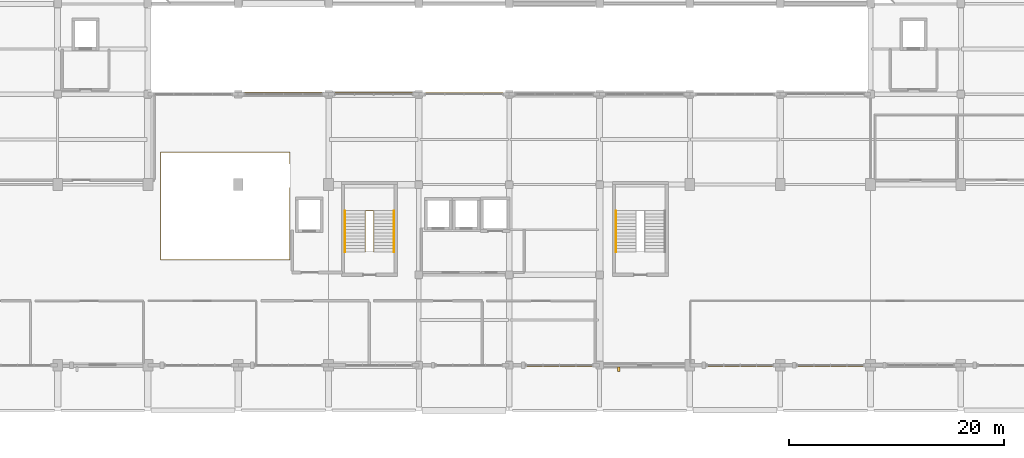
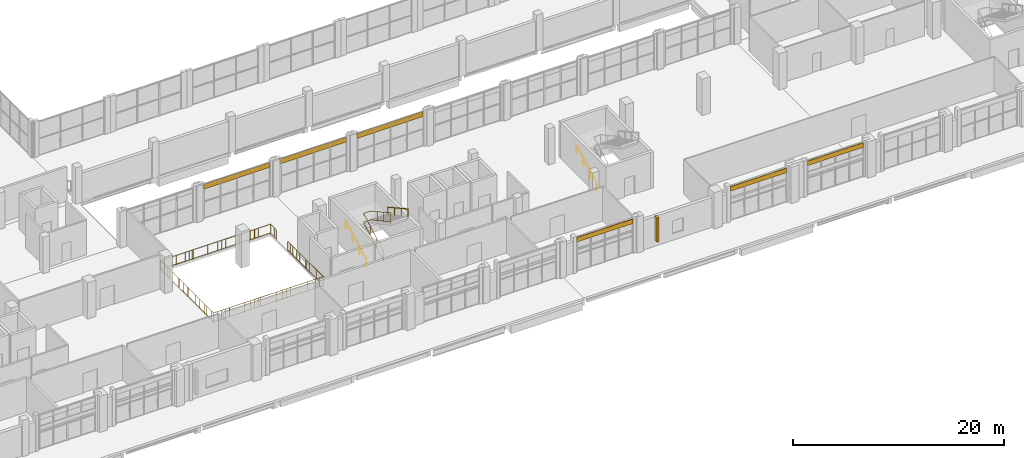
# One storey, part 57 of 59: 5 railings, 4 shading devices, 3 coverings.
"""IFC4 building model written with IfcOpenShell, lengths in metres."""

from ifc_helpers import new_model, si_unit, derived_unit, direction, frame, origin, origin_2d, place, context, subcontext, project, spatial, rectangle, circle, extrude, material, layer, layer_set, type_object, element, save


model = new_model("IFC4")

# Units and contexts
model_context = context("Model", 3, precision=1e-05, world=origin(), true_north=direction((0.0, 1.0)))
body_context = subcontext(model_context, "Body", "Model", "MODEL_VIEW")
ifc_project = project(units=[si_unit("LENGTHUNIT", "METRE"), si_unit("AREAUNIT", "SQUARE_METRE"), si_unit("VOLUMEUNIT", "CUBIC_METRE"), si_unit("PLANEANGLEUNIT", "RADIAN"), si_unit("MASSUNIT", "GRAM", prefix="KILO"), derived_unit("THERMALTRANSMITTANCEUNIT", [(si_unit("POWERUNIT", "WATT"), 1), (si_unit("LENGTHUNIT", "METRE"), -2), (si_unit("THERMODYNAMICTEMPERATUREUNIT", "KELVIN"), -1)])], contexts=[model_context])

# Site, building, storey
site_placement = place(None, origin())
site = spatial("IfcSite", under=ifc_project, at=site_placement, CompositionType="ELEMENT")
building_placement = place(site_placement, origin())
building = spatial("IfcBuilding", under=site, at=building_placement, Name="Barrovel Congress Hotel", CompositionType="ELEMENT")
storey_placement = place(building_placement, frame((0.0, 0.0, 9.89990234375)))
storey = spatial("IfcBuildingStorey", under=building, at=storey_placement, Name="L02", CompositionType="ELEMENT", Elevation=9.89990234375)

# Coverings
ifc_material_1 = material(Name="Glazed Terracotta Spandrel", Category="masonry")
ifc_layer_1 = layer(ifc_material_1, 0.1201171875)
ifc_layer_set_1 = layer_set([ifc_layer_1], Name="Glazed Terracotta Spandrel")
covering_type = type_object("IfcCoveringType", Name="COV-CLAD-TERRA", PredefinedType="CLADDING", material=ifc_layer_set_1)
for number, where, z_axis, x_axis, name in (
    (1, (97.080078125, 4.14990234375, 3.41015625), (0.0, 0.0, 1.0), (1.0, 0.0, 0.0), "CLAD:L02:S:11"),
    (2, (113.8798828125, 4.14990234375, 3.41015625), (0.0, 0.0, 1.0), (1.0, 0.0, 0.0), "CLAD:L02:S:13"),
    (3, (122.280029296875, 4.14990234375, 3.41015625), (0.0, 0.0, 1.0), (1.0, 0.0, 0.0), "CLAD:L02:S:14"),
):
    element("IfcCovering", number, at=place(storey_placement, frame(where, z_axis=z_axis, x_axis=x_axis)), inside=storey, type_object=covering_type, Name=name, PredefinedType="CLADDING", context=body_context, shape_type="SweptSolid", body=[
        extrude(rectangle(XDim=6.1201171875, YDim=0.1201171875, at=origin_2d()), origin(), (0.0, 0.0, 1.0), 0.52001953125),
    ])

# Railings
ifc_material_2 = material(Name="Painted Architectural Steel", Category="steel")
ifc_layer_2 = layer(ifc_material_2, 0.070068359375)
ifc_layer_set_2 = layer_set([ifc_layer_2], Name="Painted Architectural Steel")
railing_type_1 = type_object("IfcRailingType", Name="RAIL-GUARD-INT", PredefinedType="BALUSTRADE", material=ifc_layer_set_2)
railing_1_placement = place(storey_placement, frame((79.02001953125, 14.739990234375, 0.0)))
element("IfcRailing", 4, at=railing_1_placement, inside=storey, type_object=railing_type_1, Name="STAIR:XS-02:L02:GR-W", PredefinedType="BALUSTRADE", context=body_context, shape_type="SweptSolid", body=[
    extrude(circle(Radius=0.02392578125, at=origin_2d()), frame((0.0, 0.0, 1.11572265625), z_axis=(0.0, 0.875497377122, 0.483222870581), x_axis=(-1.0, 0.0, 0.0)), (0.0, 0.0, 1.0), 4.345947265625),
    extrude(circle(Radius=0.02392578125, at=origin_2d()), frame((0.0, 0.0, 0.10009765625), z_axis=(0.0, 0.875497377122, 0.483222870581), x_axis=(-1.0, 0.0, 0.0)), (0.0, 0.0, 1.0), 4.345947265625),
    extrude(circle(Radius=0.010009765625, at=origin_2d()), frame((0.0, 0.38037109375, 0.31005859375)), (0.0, 0.0, 1.0), 0.99169921875),
    extrude(circle(Radius=0.010009765625, at=origin_2d()), frame((0.0, 0.760986328125, 0.52001953125)), (0.0, 0.0, 1.0), 0.99169921875),
    extrude(circle(Radius=0.010009765625, at=origin_2d()), frame((0.0, 1.1416015625, 0.72998046875)), (0.0, 0.0, 1.0), 0.99169921875),
    extrude(circle(Radius=0.010009765625, at=origin_2d()), frame((0.0, 1.52197265625, 0.93994140625)), (0.0, 0.0, 1.0), 0.99169921875),
    extrude(circle(Radius=0.010009765625, at=origin_2d()), frame((0.0, 1.90234375, 1.150146484375)), (0.0, 0.0, 1.0), 0.99169921875),
    extrude(circle(Radius=0.010009765625, at=origin_2d()), frame((0.0, 2.282958984375, 1.360107421875)), (0.0, 0.0, 1.0), 0.99169921875),
    extrude(circle(Radius=0.010009765625, at=origin_2d()), frame((0.0, 2.66357421875, 1.570068359375)), (0.0, 0.0, 1.0), 0.99169921875),
    extrude(circle(Radius=0.010009765625, at=origin_2d()), frame((0.0, 3.0439453125, 1.780029296875)), (0.0, 0.0, 1.0), 0.99169921875),
    extrude(circle(Radius=0.010009765625, at=origin_2d()), frame((0.0, 3.42431640625, 1.989990234375)), (0.0, 0.0, 1.0), 0.99169921875),
    extrude(circle(Radius=0.02392578125, at=origin_2d()), frame((0.0, 3.804931640625, 3.2158203125), z_axis=(1.0, 0.0, 0.0), x_axis=(0.0, 1.0, 0.0)), (0.0, 0.0, 1.0), 0.760009765625),
    extrude(circle(Radius=0.02392578125, at=origin_2d()), frame((0.0, 3.804931640625, 2.2001953125), z_axis=(1.0, 0.0, 0.0), x_axis=(0.0, 1.0, 0.0)), (0.0, 0.0, 1.0), 0.760009765625),
    extrude(circle(Radius=0.010009765625, at=origin_2d()), frame((0.3798828125, 3.804931640625, 2.2001953125)), (0.0, 0.0, 1.0), 0.99169921875),
    extrude(circle(Radius=0.02392578125, at=origin_2d()), frame((0.760009765625, 3.804931640625, 3.2158203125), z_axis=(0.0, -0.875497377122, 0.483222870581), x_axis=(1.0, 0.0, 0.0)), (0.0, 0.0, 1.0), 4.345947265625),
    extrude(circle(Radius=0.02392578125, at=origin_2d()), frame((0.760009765625, 3.804931640625, 2.2001953125), z_axis=(0.0, -0.875497377122, 0.483222870581), x_axis=(1.0, 0.0, 0.0)), (0.0, 0.0, 1.0), 4.345947265625),
    extrude(circle(Radius=0.010009765625, at=origin_2d()), frame((0.760009765625, 3.42431640625, 2.41015625)), (0.0, 0.0, 1.0), 0.99169921875),
    extrude(circle(Radius=0.010009765625, at=origin_2d()), frame((0.760009765625, 3.0439453125, 2.6201171875)), (0.0, 0.0, 1.0), 0.99169921875),
    extrude(circle(Radius=0.010009765625, at=origin_2d()), frame((0.760009765625, 2.66357421875, 2.830078125)), (0.0, 0.0, 1.0), 0.99169921875),
    extrude(circle(Radius=0.010009765625, at=origin_2d()), frame((0.760009765625, 2.282958984375, 3.0400390625)), (0.0, 0.0, 1.0), 0.99169921875),
    extrude(circle(Radius=0.010009765625, at=origin_2d()), frame((0.760009765625, 1.90234375, 3.250244140625)), (0.0, 0.0, 1.0), 0.99169921875),
    extrude(circle(Radius=0.010009765625, at=origin_2d()), frame((0.760009765625, 1.52197265625, 3.460205078125)), (0.0, 0.0, 1.0), 0.99169921875),
    extrude(circle(Radius=0.010009765625, at=origin_2d()), frame((0.760009765625, 1.1416015625, 3.670166015625)), (0.0, 0.0, 1.0), 0.99169921875),
    extrude(circle(Radius=0.010009765625, at=origin_2d()), frame((0.760009765625, 0.760986328125, 3.880126953125)), (0.0, 0.0, 1.0), 0.99169921875),
    extrude(circle(Radius=0.010009765625, at=origin_2d()), frame((0.760009765625, 0.38037109375, 4.090087890625)), (0.0, 0.0, 1.0), 0.99169921875),
    extrude(circle(Radius=0.02099609375, at=origin_2d()), origin(), (0.0, 0.0, 1.0), 1.091796875),
    extrude(circle(Radius=0.02099609375, at=origin_2d()), frame((0.0, 1.268310546875, 0.699951171875)), (0.0, 0.0, 1.0), 1.091796875),
    extrude(circle(Radius=0.02099609375, at=origin_2d()), frame((0.0, 2.53662109375, 1.400146484375)), (0.0, 0.0, 1.0), 1.091796875),
    extrude(circle(Radius=0.02099609375, at=origin_2d()), frame((0.0, 3.804931640625, 2.10009765625)), (0.0, 0.0, 1.0), 1.091796875),
    extrude(circle(Radius=0.02099609375, at=origin_2d()), frame((0.760009765625, 3.804931640625, 2.10009765625)), (0.0, 0.0, 1.0), 1.091796875),
    extrude(circle(Radius=0.02099609375, at=origin_2d()), frame((0.760009765625, 2.53662109375, 2.800048828125)), (0.0, 0.0, 1.0), 1.091796875),
    extrude(circle(Radius=0.02099609375, at=origin_2d()), frame((0.760009765625, 1.268310546875, 3.500244140625)), (0.0, 0.0, 1.0), 1.091796875),
    extrude(circle(Radius=0.02099609375, at=origin_2d()), frame((0.760009765625, 0.0, 4.2001953125)), (0.0, 0.0, 1.0), 1.091796875),
])
railing_2_placement = place(storey_placement, frame((72.0, 20.699951171875, 0.0)))
element("IfcRailing", 5, at=railing_2_placement, inside=storey, type_object=railing_type_1, Name="RAIL:L02:ATR-1", PredefinedType="BALUSTRADE", context=body_context, shape_type="SweptSolid", body=[
    extrude(circle(Radius=0.02392578125, at=origin_2d()), frame((0.0, 0.0, 1.11572265625), z_axis=(0.0, -1.0, 0.0), x_axis=(1.0, 0.0, 0.0)), (0.0, 0.0, 1.0), 6.699951171875),
    extrude(circle(Radius=0.02392578125, at=origin_2d()), frame((0.0, 0.0, 0.10009765625), z_axis=(0.0, -1.0, 0.0), x_axis=(1.0, 0.0, 0.0)), (0.0, 0.0, 1.0), 6.699951171875),
    extrude(circle(Radius=0.010009765625, at=origin_2d()), frame((0.0, -0.44677734375, 0.10009765625)), (0.0, 0.0, 1.0), 0.99169921875),
    extrude(circle(Radius=0.010009765625, at=origin_2d()), frame((0.0, -0.893310546875, 0.10009765625)), (0.0, 0.0, 1.0), 0.99169921875),
    extrude(circle(Radius=0.010009765625, at=origin_2d()), frame((0.0, -1.340087890625, 0.10009765625)), (0.0, 0.0, 1.0), 0.99169921875),
    extrude(circle(Radius=0.010009765625, at=origin_2d()), frame((0.0, -1.78662109375, 0.10009765625)), (0.0, 0.0, 1.0), 0.99169921875),
    extrude(circle(Radius=0.010009765625, at=origin_2d()), frame((0.0, -2.2333984375, 0.10009765625)), (0.0, 0.0, 1.0), 0.99169921875),
    extrude(circle(Radius=0.010009765625, at=origin_2d()), frame((0.0, -2.679931640625, 0.10009765625)), (0.0, 0.0, 1.0), 0.99169921875),
    extrude(circle(Radius=0.010009765625, at=origin_2d()), frame((0.0, -3.126708984375, 0.10009765625)), (0.0, 0.0, 1.0), 0.99169921875),
    extrude(circle(Radius=0.010009765625, at=origin_2d()), frame((0.0, -3.5732421875, 0.10009765625)), (0.0, 0.0, 1.0), 0.99169921875),
    extrude(circle(Radius=0.010009765625, at=origin_2d()), frame((0.0, -4.02001953125, 0.10009765625)), (0.0, 0.0, 1.0), 0.99169921875),
    extrude(circle(Radius=0.010009765625, at=origin_2d()), frame((0.0, -4.466552734375, 0.10009765625)), (0.0, 0.0, 1.0), 0.99169921875),
    extrude(circle(Radius=0.010009765625, at=origin_2d()), frame((0.0, -4.913330078125, 0.10009765625)), (0.0, 0.0, 1.0), 0.99169921875),
    extrude(circle(Radius=0.010009765625, at=origin_2d()), frame((0.0, -5.35986328125, 0.10009765625)), (0.0, 0.0, 1.0), 0.99169921875),
    extrude(circle(Radius=0.010009765625, at=origin_2d()), frame((0.0, -5.806640625, 0.10009765625)), (0.0, 0.0, 1.0), 0.99169921875),
    extrude(circle(Radius=0.010009765625, at=origin_2d()), frame((0.0, -6.253173828125, 0.10009765625)), (0.0, 0.0, 1.0), 0.99169921875),
    extrude(circle(Radius=0.02392578125, at=origin_2d()), frame((0.0, -6.699951171875, 1.11572265625), z_axis=(-1.0, 0.0, 0.0), x_axis=(0.0, -1.0, 0.0)), (0.0, 0.0, 1.0), 12.0),
    extrude(circle(Radius=0.02392578125, at=origin_2d()), frame((0.0, -6.699951171875, 0.10009765625), z_axis=(-1.0, 0.0, 0.0), x_axis=(0.0, -1.0, 0.0)), (0.0, 0.0, 1.0), 12.0),
    extrude(circle(Radius=0.010009765625, at=origin_2d()), frame((-0.4443359375, -6.699951171875, 0.10009765625)), (0.0, 0.0, 1.0), 0.99169921875),
    extrude(circle(Radius=0.010009765625, at=origin_2d()), frame((-0.888916015625, -6.699951171875, 0.10009765625)), (0.0, 0.0, 1.0), 0.99169921875),
    extrude(circle(Radius=0.010009765625, at=origin_2d()), frame((-1.333251953125, -6.699951171875, 0.10009765625)), (0.0, 0.0, 1.0), 0.99169921875),
    extrude(circle(Radius=0.010009765625, at=origin_2d()), frame((-1.77783203125, -6.699951171875, 0.10009765625)), (0.0, 0.0, 1.0), 0.99169921875),
    extrude(circle(Radius=0.010009765625, at=origin_2d()), frame((-2.22216796875, -6.699951171875, 0.10009765625)), (0.0, 0.0, 1.0), 0.99169921875),
    extrude(circle(Radius=0.010009765625, at=origin_2d()), frame((-2.666748046875, -6.699951171875, 0.10009765625)), (0.0, 0.0, 1.0), 0.99169921875),
    extrude(circle(Radius=0.010009765625, at=origin_2d()), frame((-3.111083984375, -6.699951171875, 0.10009765625)), (0.0, 0.0, 1.0), 0.99169921875),
    extrude(circle(Radius=0.010009765625, at=origin_2d()), frame((-3.5556640625, -6.699951171875, 0.10009765625)), (0.0, 0.0, 1.0), 0.99169921875),
    extrude(circle(Radius=0.010009765625, at=origin_2d()), frame((-4.0, -6.699951171875, 0.10009765625)), (0.0, 0.0, 1.0), 0.99169921875),
    extrude(circle(Radius=0.010009765625, at=origin_2d()), frame((-4.4443359375, -6.699951171875, 0.10009765625)), (0.0, 0.0, 1.0), 0.99169921875),
    extrude(circle(Radius=0.010009765625, at=origin_2d()), frame((-4.888916015625, -6.699951171875, 0.10009765625)), (0.0, 0.0, 1.0), 0.99169921875),
    extrude(circle(Radius=0.010009765625, at=origin_2d()), frame((-5.333251953125, -6.699951171875, 0.10009765625)), (0.0, 0.0, 1.0), 0.99169921875),
    extrude(circle(Radius=0.010009765625, at=origin_2d()), frame((-5.77783203125, -6.699951171875, 0.10009765625)), (0.0, 0.0, 1.0), 0.99169921875),
    extrude(circle(Radius=0.010009765625, at=origin_2d()), frame((-6.22216796875, -6.699951171875, 0.10009765625)), (0.0, 0.0, 1.0), 0.99169921875),
    extrude(circle(Radius=0.010009765625, at=origin_2d()), frame((-6.666748046875, -6.699951171875, 0.10009765625)), (0.0, 0.0, 1.0), 0.99169921875),
    extrude(circle(Radius=0.010009765625, at=origin_2d()), frame((-7.111083984375, -6.699951171875, 0.10009765625)), (0.0, 0.0, 1.0), 0.99169921875),
    extrude(circle(Radius=0.010009765625, at=origin_2d()), frame((-7.5556640625, -6.699951171875, 0.10009765625)), (0.0, 0.0, 1.0), 0.99169921875),
    extrude(circle(Radius=0.010009765625, at=origin_2d()), frame((-8.0, -6.699951171875, 0.10009765625)), (0.0, 0.0, 1.0), 0.99169921875),
    extrude(circle(Radius=0.010009765625, at=origin_2d()), frame((-8.4443359375, -6.699951171875, 0.10009765625)), (0.0, 0.0, 1.0), 0.99169921875),
    extrude(circle(Radius=0.010009765625, at=origin_2d()), frame((-8.888916015625, -6.699951171875, 0.10009765625)), (0.0, 0.0, 1.0), 0.99169921875),
    extrude(circle(Radius=0.010009765625, at=origin_2d()), frame((-9.333251953125, -6.699951171875, 0.10009765625)), (0.0, 0.0, 1.0), 0.99169921875),
    extrude(circle(Radius=0.010009765625, at=origin_2d()), frame((-9.77783203125, -6.699951171875, 0.10009765625)), (0.0, 0.0, 1.0), 0.99169921875),
    extrude(circle(Radius=0.010009765625, at=origin_2d()), frame((-10.22216796875, -6.699951171875, 0.10009765625)), (0.0, 0.0, 1.0), 0.99169921875),
    extrude(circle(Radius=0.010009765625, at=origin_2d()), frame((-10.666748046875, -6.699951171875, 0.10009765625)), (0.0, 0.0, 1.0), 0.99169921875),
    extrude(circle(Radius=0.010009765625, at=origin_2d()), frame((-11.111083984375, -6.699951171875, 0.10009765625)), (0.0, 0.0, 1.0), 0.99169921875),
    extrude(circle(Radius=0.010009765625, at=origin_2d()), frame((-11.5556640625, -6.699951171875, 0.10009765625)), (0.0, 0.0, 1.0), 0.99169921875),
    extrude(circle(Radius=0.02392578125, at=origin_2d()), frame((-12.0, -6.699951171875, 1.11572265625), z_axis=(0.0, 1.0, 0.0), x_axis=(-1.0, 0.0, 0.0)), (0.0, 0.0, 1.0), 10.0),
    extrude(circle(Radius=0.02392578125, at=origin_2d()), frame((-12.0, -6.699951171875, 0.10009765625), z_axis=(0.0, 1.0, 0.0), x_axis=(-1.0, 0.0, 0.0)), (0.0, 0.0, 1.0), 10.0),
    extrude(circle(Radius=0.010009765625, at=origin_2d()), frame((-12.0, -6.26513671875, 0.10009765625)), (0.0, 0.0, 1.0), 0.99169921875),
    extrude(circle(Radius=0.010009765625, at=origin_2d()), frame((-12.0, -5.830322265625, 0.10009765625)), (0.0, 0.0, 1.0), 0.99169921875),
    extrude(circle(Radius=0.010009765625, at=origin_2d()), frame((-12.0, -5.3955078125, 0.10009765625)), (0.0, 0.0, 1.0), 0.99169921875),
    extrude(circle(Radius=0.010009765625, at=origin_2d()), frame((-12.0, -4.9609375, 0.10009765625)), (0.0, 0.0, 1.0), 0.99169921875),
    extrude(circle(Radius=0.010009765625, at=origin_2d()), frame((-12.0, -4.526123046875, 0.10009765625)), (0.0, 0.0, 1.0), 0.99169921875),
    extrude(circle(Radius=0.010009765625, at=origin_2d()), frame((-12.0, -4.09130859375, 0.10009765625)), (0.0, 0.0, 1.0), 0.99169921875),
    extrude(circle(Radius=0.010009765625, at=origin_2d()), frame((-12.0, -3.656494140625, 0.10009765625)), (0.0, 0.0, 1.0), 0.99169921875),
    extrude(circle(Radius=0.010009765625, at=origin_2d()), frame((-12.0, -3.2216796875, 0.10009765625)), (0.0, 0.0, 1.0), 0.99169921875),
    extrude(circle(Radius=0.010009765625, at=origin_2d()), frame((-12.0, -2.786865234375, 0.10009765625)), (0.0, 0.0, 1.0), 0.99169921875),
    extrude(circle(Radius=0.010009765625, at=origin_2d()), frame((-12.0, -2.35205078125, 0.10009765625)), (0.0, 0.0, 1.0), 0.99169921875),
    extrude(circle(Radius=0.010009765625, at=origin_2d()), frame((-12.0, -1.917236328125, 0.10009765625)), (0.0, 0.0, 1.0), 0.99169921875),
    extrude(circle(Radius=0.010009765625, at=origin_2d()), frame((-12.0, -1.482666015625, 0.10009765625)), (0.0, 0.0, 1.0), 0.99169921875),
    extrude(circle(Radius=0.010009765625, at=origin_2d()), frame((-12.0, -1.0478515625, 0.10009765625)), (0.0, 0.0, 1.0), 0.99169921875),
    extrude(circle(Radius=0.010009765625, at=origin_2d()), frame((-12.0, -0.613037109375, 0.10009765625)), (0.0, 0.0, 1.0), 0.99169921875),
    extrude(circle(Radius=0.010009765625, at=origin_2d()), frame((-12.0, -0.17822265625, 0.10009765625)), (0.0, 0.0, 1.0), 0.99169921875),
    extrude(circle(Radius=0.010009765625, at=origin_2d()), frame((-12.0, 0.256591796875, 0.10009765625)), (0.0, 0.0, 1.0), 0.99169921875),
    extrude(circle(Radius=0.010009765625, at=origin_2d()), frame((-12.0, 0.69140625, 0.10009765625)), (0.0, 0.0, 1.0), 0.99169921875),
    extrude(circle(Radius=0.010009765625, at=origin_2d()), frame((-12.0, 1.126220703125, 0.10009765625)), (0.0, 0.0, 1.0), 0.99169921875),
    extrude(circle(Radius=0.010009765625, at=origin_2d()), frame((-12.0, 1.56103515625, 0.10009765625)), (0.0, 0.0, 1.0), 0.99169921875),
    extrude(circle(Radius=0.010009765625, at=origin_2d()), frame((-12.0, 1.99560546875, 0.10009765625)), (0.0, 0.0, 1.0), 0.99169921875),
    extrude(circle(Radius=0.010009765625, at=origin_2d()), frame((-12.0, 2.430419921875, 0.10009765625)), (0.0, 0.0, 1.0), 0.99169921875),
    extrude(circle(Radius=0.010009765625, at=origin_2d()), frame((-12.0, 2.865234375, 0.10009765625)), (0.0, 0.0, 1.0), 0.99169921875),
    extrude(circle(Radius=0.02392578125, at=origin_2d()), frame((-12.0, 3.300048828125, 1.11572265625), z_axis=(1.0, 0.0, 0.0), x_axis=(0.0, 1.0, 0.0)), (0.0, 0.0, 1.0), 12.0),
    extrude(circle(Radius=0.02392578125, at=origin_2d()), frame((-12.0, 3.300048828125, 0.10009765625), z_axis=(1.0, 0.0, 0.0), x_axis=(0.0, 1.0, 0.0)), (0.0, 0.0, 1.0), 12.0),
    extrude(circle(Radius=0.010009765625, at=origin_2d()), frame((-11.5556640625, 3.300048828125, 0.10009765625)), (0.0, 0.0, 1.0), 0.99169921875),
    extrude(circle(Radius=0.010009765625, at=origin_2d()), frame((-11.111083984375, 3.300048828125, 0.10009765625)), (0.0, 0.0, 1.0), 0.99169921875),
    extrude(circle(Radius=0.010009765625, at=origin_2d()), frame((-10.666748046875, 3.300048828125, 0.10009765625)), (0.0, 0.0, 1.0), 0.99169921875),
    extrude(circle(Radius=0.010009765625, at=origin_2d()), frame((-10.22216796875, 3.300048828125, 0.10009765625)), (0.0, 0.0, 1.0), 0.99169921875),
    extrude(circle(Radius=0.010009765625, at=origin_2d()), frame((-9.77783203125, 3.300048828125, 0.10009765625)), (0.0, 0.0, 1.0), 0.99169921875),
    extrude(circle(Radius=0.010009765625, at=origin_2d()), frame((-9.333251953125, 3.300048828125, 0.10009765625)), (0.0, 0.0, 1.0), 0.99169921875),
    extrude(circle(Radius=0.010009765625, at=origin_2d()), frame((-8.888916015625, 3.300048828125, 0.10009765625)), (0.0, 0.0, 1.0), 0.99169921875),
    extrude(circle(Radius=0.010009765625, at=origin_2d()), frame((-8.4443359375, 3.300048828125, 0.10009765625)), (0.0, 0.0, 1.0), 0.99169921875),
    extrude(circle(Radius=0.010009765625, at=origin_2d()), frame((-8.0, 3.300048828125, 0.10009765625)), (0.0, 0.0, 1.0), 0.99169921875),
    extrude(circle(Radius=0.010009765625, at=origin_2d()), frame((-7.5556640625, 3.300048828125, 0.10009765625)), (0.0, 0.0, 1.0), 0.99169921875),
    extrude(circle(Radius=0.010009765625, at=origin_2d()), frame((-7.111083984375, 3.300048828125, 0.10009765625)), (0.0, 0.0, 1.0), 0.99169921875),
    extrude(circle(Radius=0.010009765625, at=origin_2d()), frame((-6.666748046875, 3.300048828125, 0.10009765625)), (0.0, 0.0, 1.0), 0.99169921875),
    extrude(circle(Radius=0.010009765625, at=origin_2d()), frame((-6.22216796875, 3.300048828125, 0.10009765625)), (0.0, 0.0, 1.0), 0.99169921875),
    extrude(circle(Radius=0.010009765625, at=origin_2d()), frame((-5.77783203125, 3.300048828125, 0.10009765625)), (0.0, 0.0, 1.0), 0.99169921875),
    extrude(circle(Radius=0.010009765625, at=origin_2d()), frame((-5.333251953125, 3.300048828125, 0.10009765625)), (0.0, 0.0, 1.0), 0.99169921875),
    extrude(circle(Radius=0.010009765625, at=origin_2d()), frame((-4.888916015625, 3.300048828125, 0.10009765625)), (0.0, 0.0, 1.0), 0.99169921875),
    extrude(circle(Radius=0.010009765625, at=origin_2d()), frame((-4.4443359375, 3.300048828125, 0.10009765625)), (0.0, 0.0, 1.0), 0.99169921875),
    extrude(circle(Radius=0.010009765625, at=origin_2d()), frame((-4.0, 3.300048828125, 0.10009765625)), (0.0, 0.0, 1.0), 0.99169921875),
    extrude(circle(Radius=0.010009765625, at=origin_2d()), frame((-3.5556640625, 3.300048828125, 0.10009765625)), (0.0, 0.0, 1.0), 0.99169921875),
    extrude(circle(Radius=0.010009765625, at=origin_2d()), frame((-3.111083984375, 3.300048828125, 0.10009765625)), (0.0, 0.0, 1.0), 0.99169921875),
    extrude(circle(Radius=0.010009765625, at=origin_2d()), frame((-2.666748046875, 3.300048828125, 0.10009765625)), (0.0, 0.0, 1.0), 0.99169921875),
    extrude(circle(Radius=0.010009765625, at=origin_2d()), frame((-2.22216796875, 3.300048828125, 0.10009765625)), (0.0, 0.0, 1.0), 0.99169921875),
    extrude(circle(Radius=0.010009765625, at=origin_2d()), frame((-1.77783203125, 3.300048828125, 0.10009765625)), (0.0, 0.0, 1.0), 0.99169921875),
    extrude(circle(Radius=0.010009765625, at=origin_2d()), frame((-1.333251953125, 3.300048828125, 0.10009765625)), (0.0, 0.0, 1.0), 0.99169921875),
    extrude(circle(Radius=0.010009765625, at=origin_2d()), frame((-0.888916015625, 3.300048828125, 0.10009765625)), (0.0, 0.0, 1.0), 0.99169921875),
    extrude(circle(Radius=0.010009765625, at=origin_2d()), frame((-0.4443359375, 3.300048828125, 0.10009765625)), (0.0, 0.0, 1.0), 0.99169921875),
    extrude(circle(Radius=0.02392578125, at=origin_2d()), frame((0.0, 3.300048828125, 1.11572265625), z_axis=(0.0, -1.0, 0.0), x_axis=(1.0, 0.0, 0.0)), (0.0, 0.0, 1.0), 1.050048828125),
    extrude(circle(Radius=0.02392578125, at=origin_2d()), frame((0.0, 3.300048828125, 0.10009765625), z_axis=(0.0, -1.0, 0.0), x_axis=(1.0, 0.0, 0.0)), (0.0, 0.0, 1.0), 1.050048828125),
    extrude(circle(Radius=0.010009765625, at=origin_2d()), frame((0.0, 2.949951171875, 0.10009765625)), (0.0, 0.0, 1.0), 0.99169921875),
    extrude(circle(Radius=0.010009765625, at=origin_2d()), frame((0.0, 2.60009765625, 0.10009765625)), (0.0, 0.0, 1.0), 0.99169921875),
    extrude(circle(Radius=0.02099609375, at=origin_2d()), origin(), (0.0, 0.0, 1.0), 1.091796875),
    extrude(circle(Radius=0.02099609375, at=origin_2d()), frame((0.0, -1.675048828125, 0.0)), (0.0, 0.0, 1.0), 1.091796875),
    extrude(circle(Radius=0.02099609375, at=origin_2d()), frame((0.0, -3.35009765625, 0.0)), (0.0, 0.0, 1.0), 1.091796875),
    extrude(circle(Radius=0.02099609375, at=origin_2d()), frame((0.0, -5.02490234375, 0.0)), (0.0, 0.0, 1.0), 1.091796875),
    extrude(circle(Radius=0.02099609375, at=origin_2d()), frame((0.0, -6.699951171875, 0.0)), (0.0, 0.0, 1.0), 1.091796875),
    extrude(circle(Radius=0.02099609375, at=origin_2d()), frame((-1.71435546875, -6.699951171875, 0.0)), (0.0, 0.0, 1.0), 1.091796875),
    extrude(circle(Radius=0.02099609375, at=origin_2d()), frame((-3.428466796875, -6.699951171875, 0.0)), (0.0, 0.0, 1.0), 1.091796875),
    extrude(circle(Radius=0.02099609375, at=origin_2d()), frame((-5.142822265625, -6.699951171875, 0.0)), (0.0, 0.0, 1.0), 1.091796875),
    extrude(circle(Radius=0.02099609375, at=origin_2d()), frame((-6.857177734375, -6.699951171875, 0.0)), (0.0, 0.0, 1.0), 1.091796875),
    extrude(circle(Radius=0.02099609375, at=origin_2d()), frame((-8.571533203125, -6.699951171875, 0.0)), (0.0, 0.0, 1.0), 1.091796875),
    extrude(circle(Radius=0.02099609375, at=origin_2d()), frame((-10.28564453125, -6.699951171875, 0.0)), (0.0, 0.0, 1.0), 1.091796875),
    extrude(circle(Radius=0.02099609375, at=origin_2d()), frame((-12.0, -6.699951171875, 0.0)), (0.0, 0.0, 1.0), 1.091796875),
    extrude(circle(Radius=0.02099609375, at=origin_2d()), frame((-12.0, -5.033203125, 0.0)), (0.0, 0.0, 1.0), 1.091796875),
    extrude(circle(Radius=0.02099609375, at=origin_2d()), frame((-12.0, -3.36669921875, 0.0)), (0.0, 0.0, 1.0), 1.091796875),
    extrude(circle(Radius=0.02099609375, at=origin_2d()), frame((-12.0, -1.699951171875, 0.0)), (0.0, 0.0, 1.0), 1.091796875),
    extrude(circle(Radius=0.02099609375, at=origin_2d()), frame((-12.0, -0.033203125, 0.0)), (0.0, 0.0, 1.0), 1.091796875),
    extrude(circle(Radius=0.02099609375, at=origin_2d()), frame((-12.0, 1.63330078125, 0.0)), (0.0, 0.0, 1.0), 1.091796875),
    extrude(circle(Radius=0.02099609375, at=origin_2d()), frame((-12.0, 3.300048828125, 0.0)), (0.0, 0.0, 1.0), 1.091796875),
    extrude(circle(Radius=0.02099609375, at=origin_2d()), frame((-10.28564453125, 3.300048828125, 0.0)), (0.0, 0.0, 1.0), 1.091796875),
    extrude(circle(Radius=0.02099609375, at=origin_2d()), frame((-8.571533203125, 3.300048828125, 0.0)), (0.0, 0.0, 1.0), 1.091796875),
    extrude(circle(Radius=0.02099609375, at=origin_2d()), frame((-6.857177734375, 3.300048828125, 0.0)), (0.0, 0.0, 1.0), 1.091796875),
    extrude(circle(Radius=0.02099609375, at=origin_2d()), frame((-5.142822265625, 3.300048828125, 0.0)), (0.0, 0.0, 1.0), 1.091796875),
    extrude(circle(Radius=0.02099609375, at=origin_2d()), frame((-3.428466796875, 3.300048828125, 0.0)), (0.0, 0.0, 1.0), 1.091796875),
    extrude(circle(Radius=0.02099609375, at=origin_2d()), frame((-1.71435546875, 3.300048828125, 0.0)), (0.0, 0.0, 1.0), 1.091796875),
    extrude(circle(Radius=0.02099609375, at=origin_2d()), frame((0.0, 3.300048828125, 0.0)), (0.0, 0.0, 1.0), 1.091796875),
    extrude(circle(Radius=0.02099609375, at=origin_2d()), frame((0.0, 2.25, 0.0)), (0.0, 0.0, 1.0), 1.091796875),
])
ifc_material_3 = material(Name="Brushed Stainless Steel", Category="steel")
ifc_layer_3 = layer(ifc_material_3, 0.050048828125)
ifc_layer_set_3 = layer_set([ifc_layer_3], Name="Brushed Stainless Steel")
railing_type_2 = type_object("IfcRailingType", Name="RAIL-HAND", PredefinedType="HANDRAIL", material=ifc_layer_set_3)
railing_3_placement = place(storey_placement, frame((77.1201171875, 14.739990234375, 0.0)))
element("IfcRailing", 6, at=railing_3_placement, inside=storey, type_object=railing_type_2, Name="STAIR:XS-02:L02:HR-1", PredefinedType="HANDRAIL", context=body_context, shape_type="SweptSolid", body=[
    extrude(circle(Radius=0.02392578125, at=origin_2d()), frame((0.0, 0.0, 0.89599609375), z_axis=(0.0, 0.875497377122, 0.483222870581), x_axis=(-1.0, 0.0, 0.0)), (0.0, 0.0, 1.0), 4.345947265625),
    extrude(circle(Radius=0.02099609375, at=origin_2d()), origin(), (0.0, 0.0, 1.0), 0.871826171875),
    extrude(circle(Radius=0.02099609375, at=origin_2d()), frame((0.0, 1.268310546875, 0.699951171875)), (0.0, 0.0, 1.0), 0.871826171875),
    extrude(circle(Radius=0.02099609375, at=origin_2d()), frame((0.0, 2.53662109375, 1.400146484375)), (0.0, 0.0, 1.0), 0.871826171875),
    extrude(circle(Radius=0.02099609375, at=origin_2d()), frame((0.0, 3.804931640625, 2.10009765625)), (0.0, 0.0, 1.0), 0.871826171875),
])
railing_4_placement = place(storey_placement, frame((81.679931640625, 18.544921875, 2.10009765625)))
element("IfcRailing", 7, at=railing_4_placement, inside=storey, type_object=railing_type_2, Name="STAIR:XS-02:L02:HR-2", PredefinedType="HANDRAIL", context=body_context, shape_type="SweptSolid", body=[
    extrude(circle(Radius=0.02392578125, at=origin_2d()), frame((0.0, 0.0, 0.89599609375), z_axis=(0.0, -0.875497377122, 0.483222870581), x_axis=(1.0, 0.0, 0.0)), (0.0, 0.0, 1.0), 4.345947265625),
    extrude(circle(Radius=0.02099609375, at=origin_2d()), origin(), (0.0, 0.0, 1.0), 0.871826171875),
    extrude(circle(Radius=0.02099609375, at=origin_2d()), frame((0.0, -1.268310546875, 0.699951171875)), (0.0, 0.0, 1.0), 0.871826171875),
    extrude(circle(Radius=0.02099609375, at=origin_2d()), frame((0.0, -2.53662109375, 1.400146484375)), (0.0, 0.0, 1.0), 0.871826171875),
    extrude(circle(Radius=0.02099609375, at=origin_2d()), frame((0.0, -3.804931640625, 2.10009765625)), (0.0, 0.0, 1.0), 0.871826171875),
])
railing_5_placement = place(storey_placement, frame((102.320068359375, 14.739990234375, 0.0)))
element("IfcRailing", 8, at=railing_5_placement, inside=storey, type_object=railing_type_2, Name="STAIR:XS-03:L02:HR-1", PredefinedType="HANDRAIL", context=body_context, shape_type="SweptSolid", body=[
    extrude(circle(Radius=0.02392578125, at=origin_2d()), frame((0.0, 0.0, 0.89599609375), z_axis=(0.0, 0.875497377122, 0.483222870581), x_axis=(-1.0, 0.0, 0.0)), (0.0, 0.0, 1.0), 4.345947265625),
    extrude(circle(Radius=0.02099609375, at=origin_2d()), origin(), (0.0, 0.0, 1.0), 0.871826171875),
    extrude(circle(Radius=0.02099609375, at=origin_2d()), frame((0.0, 1.268310546875, 0.699951171875)), (0.0, 0.0, 1.0), 0.871826171875),
    extrude(circle(Radius=0.02099609375, at=origin_2d()), frame((0.0, 2.53662109375, 1.400146484375)), (0.0, 0.0, 1.0), 0.871826171875),
    extrude(circle(Radius=0.02099609375, at=origin_2d()), frame((0.0, 3.804931640625, 2.10009765625)), (0.0, 0.0, 1.0), 0.871826171875),
])

# Shading devices
ifc_material_4 = material(Name="Extruded Terracotta Louvres", Category="masonry")
shading_device_type_1 = type_object("IfcShadingDeviceType", Name="SHD-CELOSIA", PredefinedType="JALOUSIE", material=ifc_material_4)
for number, where, z_axis, x_axis, name in (
    (9, (88.199951171875, 29.4599609375, 3.365234375), (0.0, 0.0, 1.0), (1.0, 0.0, 0.0), "CEL:L02:CS:10"),
    (10, (79.800048828125, 29.4599609375, 3.365234375), (0.0, 0.0, 1.0), (1.0, 0.0, 0.0), "CEL:L02:CS:09"),
    (11, (71.39990234375, 29.4599609375, 3.365234375), (0.0, 0.0, 1.0), (1.0, 0.0, 0.0), "CEL:L02:CS:08"),
):
    element("IfcShadingDevice", number, at=place(storey_placement, frame(where, z_axis=z_axis, x_axis=x_axis)), inside=storey, type_object=shading_device_type_1, Name=name, PredefinedType="JALOUSIE", context=body_context, shape_type="SweptSolid", body=[
        extrude(rectangle(XDim=7.199951171875, YDim=0.179931640625, at=origin_2d()), origin(), (0.0, 0.0, 1.0), 0.550048828125),
    ])
ifc_material_5 = material(Name="Fired Clay Brick Masonry", Category="masonry")
shading_device_type_2 = type_object("IfcShadingDeviceType", Name="SHD-FIN", PredefinedType="USERDEFINED", material=ifc_material_5)
shading_device_placement = place(storey_placement, frame((102.60009765625, 3.820068359375, 0.7001953125), z_axis=(0.0, 0.0, 1.0), x_axis=(1.0, 0.0, 0.0)))
element("IfcShadingDevice", 12, at=shading_device_placement, inside=storey, type_object=shading_device_type_2, Name="FIN:L02:S:12", ObjectType="SOLAR FIN", PredefinedType="USERDEFINED", context=body_context, shape_type="SweptSolid", body=[
    extrude(rectangle(XDim=0.219970703125, YDim=0.449951171875, at=origin_2d()), origin(), (0.0, 0.0, 1.0), 2.800048828125),
])

save(model, "model.ifc")
